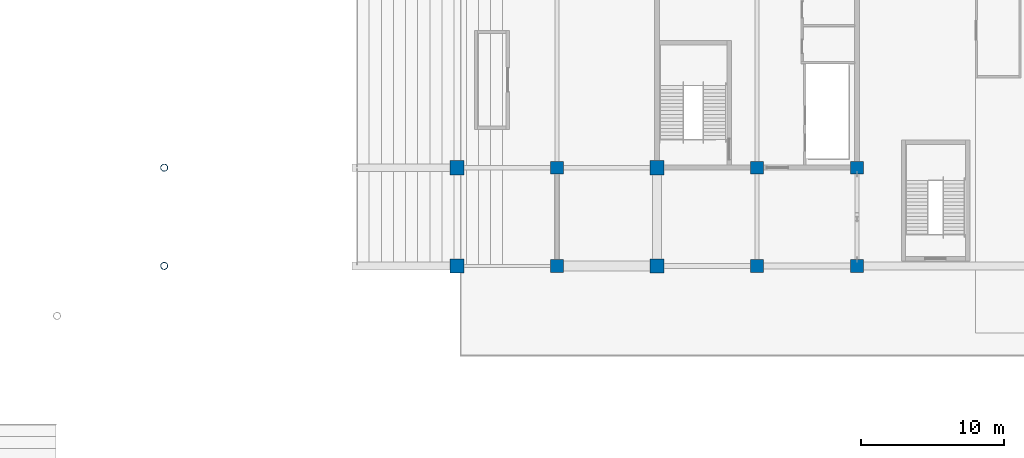
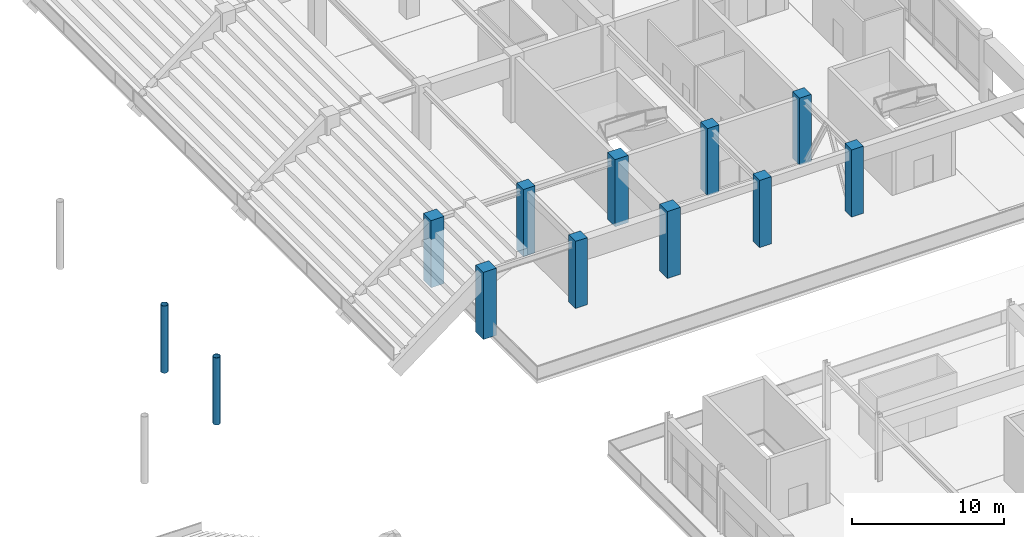
# One storey, part 10 of 117: 12 columns.
"""IFC4 building model written with IfcOpenShell, lengths in metres."""

import ifcopenshell
import ifcopenshell.guid

model = None  # the IFC model being written
_history = None  # IfcOwnerHistory: only IFC2X3 demands one
_inside = {}  # id of a spatial element -> (the spatial element, [elements in it])
_under = {}  # id of a project, library or spatial element -> (it, [spatial elements below it])
_declared = {}  # id of a project -> (the project, [libraries it declares])
_typed = {}  # id of a type object -> (the type object, [elements of that type])
_made_of = {}  # id of a material, layer set ... -> (it, [elements and type objects made of it])


def new_model(schema):
    """Start an empty IFC model of exactly this schema.

    Asked for "IFC4X3", IfcOpenShell would pick the latest addendum, in which some entities
    have other attributes; the version numbers below select the first issue.
    IFC2X3 requires an IfcOwnerHistory on every rooted entity: one is made here for all.
    """
    global model, _history
    if schema == "IFC4X3":
        model = ifcopenshell.file(schema_version=(4, 3, 0, 0))
    else:
        model = ifcopenshell.file(schema=schema)
    _inside.clear()
    _under.clear()
    _declared.clear()
    _typed.clear()
    _made_of.clear()
    _history = None
    if model.schema == "IFC2X3":
        org = make("IfcOrganization", Name="unknown")
        user = make(
            "IfcPersonAndOrganization",
            ThePerson=make("IfcPerson", FamilyName="unknown"),
            TheOrganization=org,
        )
        app = make(
            "IfcApplication",
            ApplicationDeveloper=org,
            Version="unknown",
            ApplicationFullName="unknown",
            ApplicationIdentifier="unknown",
        )
        _history = make(
            "IfcOwnerHistory",
            OwningUser=user,
            OwningApplication=app,
            ChangeAction="ADDED",
            CreationDate=0,
        )
    return model


def make(cls, **values):
    """One entity of the class cls with the attributes given. An attribute that is None is left unset."""
    return model.create_entity(
        cls, **{name: value for name, value in values.items() if value is not None}
    )


def rooted(cls, **values):
    """An entity with a GlobalId (a new one), such as an element, a storey or a relation."""
    return make(cls, GlobalId=ifcopenshell.guid.new(), OwnerHistory=_history, **values)


def si_unit(unit_type, name, prefix=None):
    """IfcSIUnit, for example si_unit("LENGTHUNIT", "METRE", prefix="MILLI")."""
    return make("IfcSIUnit", UnitType=unit_type, Prefix=prefix, Name=name)


def assignment(units):
    """IfcUnitAssignment: the units of a project."""
    return None if units is None else make("IfcUnitAssignment", Units=units)


def point(xyz):
    """IfcCartesianPoint."""
    return None if xyz is None else make("IfcCartesianPoint", Coordinates=xyz)


def direction(xyz):
    """IfcDirection."""
    return None if xyz is None else make("IfcDirection", DirectionRatios=xyz)


def frame(location, z_axis=None, x_axis=None):
    """IfcAxis2Placement3D, a coordinate frame: its origin and axes. An axis left out is left unset."""
    return make(
        "IfcAxis2Placement3D",
        Location=point(location),
        Axis=direction(z_axis),
        RefDirection=direction(x_axis),
    )


def frame_2d(location, x_axis=None):
    """IfcAxis2Placement2D, a coordinate frame in the plane: its origin and x axis."""
    return make(
        "IfcAxis2Placement2D", Location=point(location), RefDirection=direction(x_axis)
    )


def origin():
    """The frame at (0, 0, 0) with its axes left unset."""
    return frame((0.0, 0.0, 0.0))


def origin_2d():
    """The frame at (0, 0) in the plane with its x axis left unset."""
    return frame_2d((0.0, 0.0))


def place(relative_to, where):
    """IfcLocalPlacement: puts the frame where relative to a parent placement (None: the world)."""
    return make(
        "IfcLocalPlacement", PlacementRelTo=relative_to, RelativePlacement=where
    )


def context(
    kind, dimensions, precision=None, world=None, true_north=None, identifier=None
):
    """IfcGeometricRepresentationContext, for example the 3D "Model" context."""
    return make(
        "IfcGeometricRepresentationContext",
        ContextIdentifier=identifier,
        ContextType=kind,
        CoordinateSpaceDimension=dimensions,
        Precision=precision,
        WorldCoordinateSystem=world,
        TrueNorth=true_north,
    )


def subcontext(parent, identifier, kind, view, scale=None):
    """IfcGeometricRepresentationSubContext, for example "Body" below "Model"."""
    return make(
        "IfcGeometricRepresentationSubContext",
        ContextIdentifier=identifier,
        ContextType=kind,
        ParentContext=parent,
        TargetScale=scale,
        TargetView=view,
    )


def project(units=None, contexts=None):
    """IfcProject with its units and contexts."""
    return rooted(
        "IfcProject",
        Name="project",
        RepresentationContexts=contexts,
        UnitsInContext=assignment(units),
    )


def spatial(cls, under=None, at=None, **own):
    """A site, building, storey or space (cls), placed at a placement, below another one or the project."""
    s = rooted(cls, ObjectPlacement=at, **own)
    if under is not None:
        _under.setdefault(under.id(), (under, []))[1].append(s)
    return s


def profile(cls, at=None, kind="AREA", **sizes):
    """A parametric profile (cls). Its sizes go by their IFC names, for example OverallWidth=200.0."""
    return make(cls, ProfileType=kind, Position=at, **sizes)


def rectangle(**sizes):
    """IfcRectangleProfileDef."""
    return profile("IfcRectangleProfileDef", **sizes)


def hollow_circle(**sizes):
    """IfcCircleHollowProfileDef."""
    return profile("IfcCircleHollowProfileDef", **sizes)


def extrude(swept, where, along, depth):
    """IfcExtrudedAreaSolid: the profile swept, set in the frame where, extruded along a direction by depth."""
    return make(
        "IfcExtrudedAreaSolid",
        SweptArea=swept,
        Position=where,
        ExtrudedDirection=direction(along),
        Depth=depth,
    )


def shape(context_of_items, identifier, shape_type, items):
    """IfcShapeRepresentation: the items that make up one representation, for example the "Body"."""
    return make(
        "IfcShapeRepresentation",
        ContextOfItems=context_of_items,
        RepresentationIdentifier=identifier,
        RepresentationType=shape_type,
        Items=items,
    )


def material(Name=None, Category=None):
    """IfcMaterial."""
    return make("IfcMaterial", Name=Name, Category=Category)


def material_profile(
    of_material, cross_section, Name=None, Category=None, Priority=None
):
    """IfcMaterialProfile: a cross section and its material."""
    return make(
        "IfcMaterialProfile",
        Name=Name,
        Material=of_material,
        Profile=cross_section,
        Priority=Priority,
        Category=Category,
    )


def profile_set(profiles, Name=None, composite=None):
    """IfcMaterialProfileSet."""
    return make(
        "IfcMaterialProfileSet",
        Name=Name,
        MaterialProfiles=profiles,
        CompositeProfile=composite,
    )


def made_of(thing, what):
    """Note that an element or type object is made of a material, layer set ...; save() writes the relation."""
    if what is not None:
        _made_of.setdefault(what.id(), (what, []))[1].append(thing)
    return thing


def type_object(cls, material=None, **own):
    """A type object (cls), such as IfcWallType, which elements share."""
    return made_of(rooted(cls, **own), material)


def element(
    cls,
    number,
    at=None,
    inside=None,
    cuts=None,
    type_object=None,
    material=None,
    context=None,
    identifier="Body",
    shape_type=None,
    held_by="IfcProductDefinitionShape",
    body=None,
    shapes=None,
    **own,
):
    """One element of the class cls, such as IfcWall. Its Tag is "e" and its number.

    at: its placement. inside: the storey or other place that contains it. cuts: it is an
    opening in that element (IfcRelVoidsElement). A single representation is given by context,
    identifier, shape_type and body (its items); several are given by shapes. held_by: the class
    of the entity that holds the representations. save() writes the other relations.
    """
    e = rooted(cls, Tag="e%d" % number, ObjectPlacement=at, **own)
    if body is not None:
        shapes = [shape(context, identifier, shape_type, body)]
    if shapes is not None:
        e.Representation = make(held_by, Representations=shapes)
    if inside is not None:
        _inside.setdefault(inside.id(), (inside, []))[1].append(e)
    if cuts is not None:
        rooted(
            "IfcRelVoidsElement", RelatingBuildingElement=cuts, RelatedOpeningElement=e
        )
    if type_object is not None:
        _typed.setdefault(type_object.id(), (type_object, []))[1].append(e)
    return made_of(e, material)


def aggregate(whole, parts):
    """IfcRelAggregates: a whole, such as a stair, and the parts it consists of."""
    return rooted("IfcRelAggregates", RelatingObject=whole, RelatedObjects=parts)


def save(model, path):
    """Write the relations noted so far, then the file.

    IfcRelAggregates (storeys below a building ...), IfcRelContainedInSpatialStructure (elements
    in a storey), IfcRelDefinesByType, IfcRelAssociatesMaterial and IfcRelDeclares: one each for
    every whole, place, type object, material and project.
    """
    for whole, parts in _under.values():
        aggregate(whole, parts)
    for where, things in _inside.values():
        rooted(
            "IfcRelContainedInSpatialStructure",
            RelatedElements=things,
            RelatingStructure=where,
        )
    for kind, things in _typed.values():
        rooted("IfcRelDefinesByType", RelatedObjects=things, RelatingType=kind)
    for what, things in _made_of.values():
        rooted("IfcRelAssociatesMaterial", RelatedObjects=things, RelatingMaterial=what)
    for by, libraries in _declared.values():
        rooted("IfcRelDeclares", RelatingContext=by, RelatedDefinitions=libraries)
    model.write(path)


model = new_model("IFC4")

# Units and contexts
model_context = context("Model", 3, precision=1e-05, world=origin(), true_north=direction((0.0, 1.0)))
body_context = subcontext(model_context, "Body", "Model", "MODEL_VIEW")
ifc_project = project(units=[si_unit("LENGTHUNIT", "METRE"), si_unit("AREAUNIT", "SQUARE_METRE"), si_unit("VOLUMEUNIT", "CUBIC_METRE"), si_unit("PLANEANGLEUNIT", "RADIAN"), si_unit("MASSUNIT", "GRAM", prefix="KILO")], contexts=[model_context])

# Site, building, storey
site_placement = place(None, origin())
site = spatial("IfcSite", under=ifc_project, at=site_placement, CompositionType="ELEMENT")
building_placement = place(site_placement, origin())
building = spatial("IfcBuilding", under=site, at=building_placement, Name="Linyun Crest Stadium", CompositionType="ELEMENT")
storey_placement = place(building_placement, frame((0.0, 0.0, 6.0)))
storey = spatial("IfcBuildingStorey", under=building, at=storey_placement, Name="L02", CompositionType="ELEMENT", Elevation=6.0)

# Columns
ifc_material_1 = material(Name="Concrete C50", Category="concrete")
ifc_material_profile_1 = material_profile(ifc_material_1, rectangle(XDim=0.89990234375, YDim=0.89990234375, at=origin_2d()), Name="RC 900x900")
ifc_profile_set_1 = profile_set([ifc_material_profile_1], Name="Concrete C50")
column_type_1 = type_object("IfcColumnType", Name="C04", PredefinedType="COLUMN", material=ifc_profile_set_1)
for number, where, z_axis, x_axis, name in (
    (1, (63.0, -46.0, 0.0), (0.0, 0.0, 1.0), (1.0, 0.0, 0.0), "Column C04 L02 355"),
    (2, (63.0, -39.125, 0.0), (0.0, 0.0, 1.0), (1.0, 0.0, 0.0), "Column C04 L02 360"),
    (3, (77.0, -46.0, 0.0), (0.0, 0.0, 1.0), (1.0, 0.0, 0.0), "Column C04 L02 443"),
    (4, (77.0, -39.125, 0.0), (0.0, 0.0, 1.0), (1.0, 0.0, 0.0), "Column C04 L02 448"),
    (5, (84.0, -46.0, 0.0), (0.0, 0.0, 1.0), (1.0, 0.0, 0.0), "Column C04 L02 483"),
    (6, (84.0, -39.125, 0.0), (0.0, 0.0, 1.0), (1.0, 0.0, 0.0), "Column C04 L02 489"),
):
    element("IfcColumn", number, at=place(storey_placement, frame(where, z_axis=z_axis, x_axis=x_axis)), inside=storey, type_object=column_type_1, Name=name, PredefinedType="COLUMN", context=body_context, shape_type="SweptSolid", body=[
        extrude(rectangle(XDim=0.89990234375, YDim=0.89990234375, at=origin_2d()), origin(), (0.0, 0.0, 1.0), 5.39794921875),
    ])
ifc_material_2 = material(Name="Concrete C50", Category="concrete")
ifc_material_profile_2 = material_profile(ifc_material_2, rectangle(XDim=1.0, YDim=1.0, at=origin_2d()), Name="RC 1000x1000")
ifc_profile_set_2 = profile_set([ifc_material_profile_2], Name="Concrete C50")
column_type_2 = type_object("IfcColumnType", Name="C05", PredefinedType="COLUMN", material=ifc_profile_set_2)
for number, where, z_axis, x_axis, name in (
    (7, (56.0, -46.0, 0.0), (0.0, 0.0, 1.0), (1.0, 0.0, 0.0), "Column C05 L02 323"),
    (8, (56.0, -39.125, 0.0), (0.0, 0.0, 1.0), (1.0, 0.0, 0.0), "Column C05 L02 327"),
    (9, (70.0, -46.0, 0.0), (0.0, 0.0, 1.0), (1.0, 0.0, 0.0), "Column C05 L02 395"),
    (10, (70.0, -39.125, 0.0), (0.0, 0.0, 1.0), (1.0, 0.0, 0.0), "Column C05 L02 401"),
):
    element("IfcColumn", number, at=place(storey_placement, frame(where, z_axis=z_axis, x_axis=x_axis)), inside=storey, type_object=column_type_2, Name=name, PredefinedType="COLUMN", context=body_context, shape_type="SweptSolid", body=[
        extrude(rectangle(XDim=1.0, YDim=1.0, at=origin_2d()), origin(), (0.0, 0.0, 1.0), 5.39794921875),
    ])
ifc_material_3 = material(Name="Steel Q355C", Category="steel")
ifc_material_profile_3 = material_profile(ifc_material_3, hollow_circle(Radius=0.25390625, WallThickness=0.02490234375, at=origin_2d()), Name="CHS 508x25")
ifc_profile_set_3 = profile_set([ifc_material_profile_3], Name="Steel Q355C")
column_type_3 = type_object("IfcColumnType", Name="SC05", PredefinedType="COLUMN", material=ifc_profile_set_3)
for number, where, z_axis, x_axis, name in (
    (11, (35.5, -46.0, 0.0), (0.0, 0.0, 1.0), (1.0, 0.0, 0.0), "Arch colonnade column SC05 L02 18"),
    (12, (35.5, -39.125, 0.0), (0.0, 0.0, 1.0), (1.0, 0.0, 0.0), "Arch colonnade column SC05 L02 20"),
):
    element("IfcColumn", number, at=place(storey_placement, frame(where, z_axis=z_axis, x_axis=x_axis)), inside=storey, type_object=column_type_3, Name=name, PredefinedType="COLUMN", context=body_context, shape_type="SweptSolid", body=[
        extrude(hollow_circle(Radius=0.25390625, WallThickness=0.02490234375, at=origin_2d()), origin(), (0.0, 0.0, 1.0), 5.39990234375),
    ])

save(model, "model.ifc")
